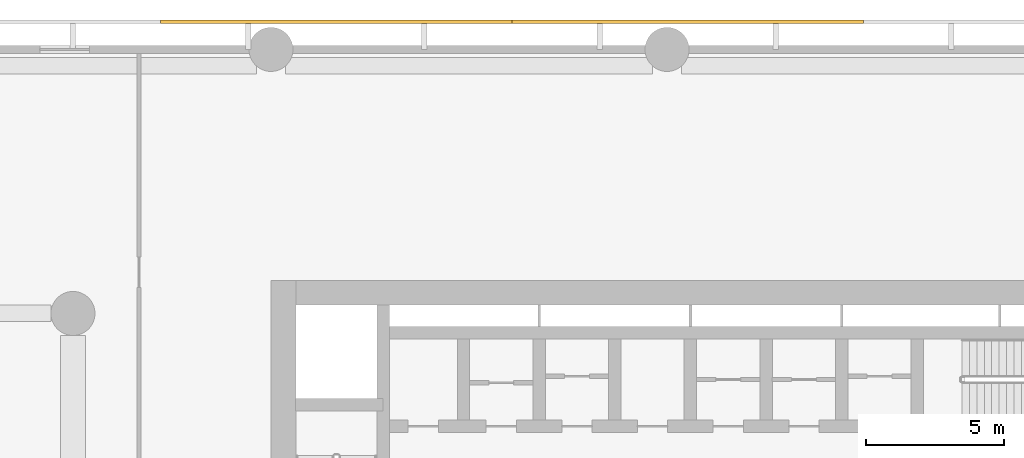
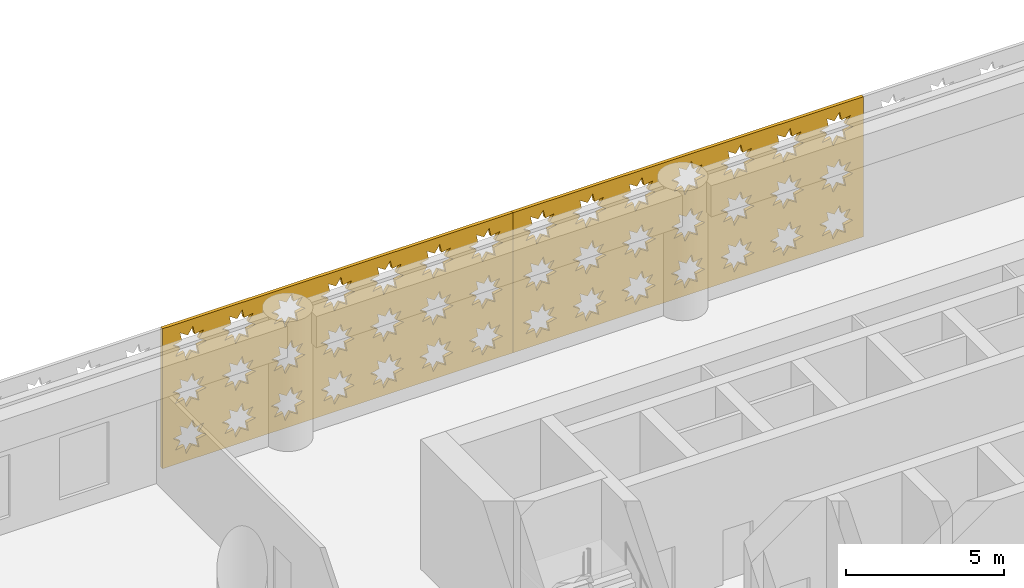
# One storey, part 27 of 30: 2 coverings.
"""IFC4 building model written with IfcOpenShell, lengths in metres."""

from ifc_helpers import new_model, si_unit, direction, frame, origin, place, context, subcontext, project, spatial, polyline, outline, extrude, material, layer, layer_set, type_object, element, save


model = new_model("IFC4")

# Units and contexts
model_context = context("Model", 3, precision=1e-05, world=origin(), true_north=direction((0.0, 1.0)))
body_context = subcontext(model_context, "Body", "Model", "MODEL_VIEW")
ifc_project = project(units=[si_unit("LENGTHUNIT", "METRE"), si_unit("AREAUNIT", "SQUARE_METRE"), si_unit("VOLUMEUNIT", "CUBIC_METRE"), si_unit("PLANEANGLEUNIT", "RADIAN"), si_unit("MASSUNIT", "GRAM", prefix="KILO")], contexts=[model_context])

# Site, building, storey
site_placement = place(None, origin())
site = spatial("IfcSite", under=ifc_project, at=site_placement, CompositionType="ELEMENT")
building_placement = place(site_placement, origin())
building = spatial("IfcBuilding", under=site, at=building_placement, Name="Saffron Iwan Residences", CompositionType="ELEMENT")
storey_placement = place(building_placement, frame((0.0, 0.0, 7.800048828125)))
storey = spatial("IfcBuildingStorey", under=building, at=storey_placement, Name="L01", CompositionType="ELEMENT", Elevation=7.800048828125)

# Coverings
ifc_material = material(Name="Terracotta screen, precast concrete C40/50", Category="masonry")
ifc_layer = layer(ifc_material, 0.1201171875)
ifc_layer_set = layer_set([ifc_layer], Name="Terracotta screen, precast concrete C40/50")
covering_type = type_object("IfcCoveringType", Name="PODIUM SCREEN GIRIH", PredefinedType="CLADDING", material=ifc_layer_set)
covering_1_placement = place(storey_placement, frame((50.340087890625, 87.35009765625, -0.400146484375), z_axis=(0.0, 1.0, 0.0), x_axis=(-1.0, 0.0, 0.0)))
element("IfcCovering", 1, at=covering_1_placement, inside=storey, type_object=covering_type, Name="SCREEN girih terracotta L01 F2.4", PredefinedType="CLADDING", context=body_context, shape_type="SweptSolid", body=[
    extrude(outline(polyline([(0.0, 0.0), (12.777587890625, 0.0), (12.777587890625, 5.39990234375), (0.0, 5.39990234375), (0.0, 0.0)]), holes=[polyline([(1.5966796875, 1.02099609375), (1.271484375, 1.0888671875), (1.333251953125, 1.41552734375), (1.05517578125, 1.2333984375), (0.867919921875, 1.508056640625), (0.7998046875, 1.1826171875), (0.47314453125, 1.244384765625), (0.6552734375, 0.96630859375), (0.380615234375, 0.779052734375), (0.7060546875, 0.711181640625), (0.644287109375, 0.384521484375), (0.92236328125, 0.56640625), (1.109619140625, 0.2919921875), (1.177490234375, 0.6171875), (1.50439453125, 0.555419921875), (1.322265625, 0.833740234375), (1.5966796875, 1.02099609375)]), polyline([(1.5966796875, 2.821044921875), (1.271484375, 2.888916015625), (1.333251953125, 3.215576171875), (1.05517578125, 3.033447265625), (0.867919921875, 3.30810546875), (0.7998046875, 2.982666015625), (0.47314453125, 3.04443359375), (0.6552734375, 2.766357421875), (0.380615234375, 2.5791015625), (0.7060546875, 2.510986328125), (0.644287109375, 2.1845703125), (0.92236328125, 2.366455078125), (1.109619140625, 2.091796875), (1.177490234375, 2.417236328125), (1.50439453125, 2.35546875), (1.322265625, 2.6337890625), (1.5966796875, 2.821044921875)]), polyline([(1.5966796875, 4.62109375), (1.271484375, 4.68896484375), (1.333251953125, 5.015380859375), (1.05517578125, 4.83349609375), (0.867919921875, 5.108154296875), (0.7998046875, 4.78271484375), (0.47314453125, 4.844482421875), (0.6552734375, 4.56640625), (0.380615234375, 4.37890625), (0.7060546875, 4.31103515625), (0.644287109375, 3.984619140625), (0.92236328125, 4.16650390625), (1.109619140625, 3.891845703125), (1.177490234375, 4.21728515625), (1.50439453125, 4.155517578125), (1.322265625, 4.43359375), (1.5966796875, 4.62109375)]), polyline([(3.396728515625, 1.02099609375), (3.0712890625, 1.0888671875), (3.13330078125, 1.41552734375), (2.85498046875, 1.2333984375), (2.667724609375, 1.508056640625), (2.599853515625, 1.1826171875), (2.273193359375, 1.244384765625), (2.455322265625, 0.96630859375), (2.1806640625, 0.779052734375), (2.506103515625, 0.711181640625), (2.4443359375, 0.384521484375), (2.722412109375, 0.56640625), (2.90966796875, 0.2919921875), (2.9775390625, 0.6171875), (3.30419921875, 0.555419921875), (3.122314453125, 0.833740234375), (3.396728515625, 1.02099609375)]), polyline([(3.396728515625, 2.821044921875), (3.0712890625, 2.888916015625), (3.13330078125, 3.215576171875), (2.85498046875, 3.033447265625), (2.667724609375, 3.30810546875), (2.599853515625, 2.982666015625), (2.273193359375, 3.04443359375), (2.455322265625, 2.766357421875), (2.1806640625, 2.5791015625), (2.506103515625, 2.510986328125), (2.4443359375, 2.1845703125), (2.722412109375, 2.366455078125), (2.90966796875, 2.091796875), (2.9775390625, 2.417236328125), (3.30419921875, 2.35546875), (3.122314453125, 2.6337890625), (3.396728515625, 2.821044921875)]), polyline([(3.396728515625, 4.62109375), (3.0712890625, 4.68896484375), (3.13330078125, 5.015380859375), (2.85498046875, 4.83349609375), (2.667724609375, 5.108154296875), (2.599853515625, 4.78271484375), (2.273193359375, 4.844482421875), (2.455322265625, 4.56640625), (2.1806640625, 4.37890625), (2.506103515625, 4.31103515625), (2.4443359375, 3.984619140625), (2.722412109375, 4.16650390625), (2.90966796875, 3.891845703125), (2.9775390625, 4.21728515625), (3.30419921875, 4.155517578125), (3.122314453125, 4.43359375), (3.396728515625, 4.62109375)]), polyline([(5.19677734375, 1.02099609375), (4.871337890625, 1.0888671875), (4.93310546875, 1.41552734375), (4.655029296875, 1.2333984375), (4.4677734375, 1.508056640625), (4.39990234375, 1.1826171875), (4.0732421875, 1.244384765625), (4.25537109375, 0.96630859375), (3.980712890625, 0.779052734375), (4.30615234375, 0.711181640625), (4.244384765625, 0.384521484375), (4.5224609375, 0.56640625), (4.709716796875, 0.2919921875), (4.777587890625, 0.6171875), (5.104248046875, 0.555419921875), (4.922119140625, 0.833740234375), (5.19677734375, 1.02099609375)]), polyline([(5.19677734375, 2.821044921875), (4.871337890625, 2.888916015625), (4.93310546875, 3.215576171875), (4.655029296875, 3.033447265625), (4.4677734375, 3.30810546875), (4.39990234375, 2.982666015625), (4.0732421875, 3.04443359375), (4.25537109375, 2.766357421875), (3.980712890625, 2.5791015625), (4.30615234375, 2.510986328125), (4.244384765625, 2.1845703125), (4.5224609375, 2.366455078125), (4.709716796875, 2.091796875), (4.777587890625, 2.417236328125), (5.104248046875, 2.35546875), (4.922119140625, 2.6337890625), (5.19677734375, 2.821044921875)]), polyline([(5.19677734375, 4.62109375), (4.871337890625, 4.68896484375), (4.93310546875, 5.015380859375), (4.655029296875, 4.83349609375), (4.4677734375, 5.108154296875), (4.39990234375, 4.78271484375), (4.0732421875, 4.844482421875), (4.25537109375, 4.56640625), (3.980712890625, 4.37890625), (4.30615234375, 4.31103515625), (4.244384765625, 3.984619140625), (4.5224609375, 4.16650390625), (4.709716796875, 3.891845703125), (4.777587890625, 4.21728515625), (5.104248046875, 4.155517578125), (4.922119140625, 4.43359375), (5.19677734375, 4.62109375)]), polyline([(6.996826171875, 1.02099609375), (6.67138671875, 1.0888671875), (6.733154296875, 1.41552734375), (6.455078125, 1.2333984375), (6.267822265625, 1.508056640625), (6.199951171875, 1.1826171875), (5.873291015625, 1.244384765625), (6.055419921875, 0.96630859375), (5.78076171875, 0.779052734375), (6.106201171875, 0.711181640625), (6.044189453125, 0.384521484375), (6.322509765625, 0.56640625), (6.509765625, 0.2919921875), (6.57763671875, 0.6171875), (6.904296875, 0.555419921875), (6.72216796875, 0.833740234375), (6.996826171875, 1.02099609375)]), polyline([(6.996826171875, 2.821044921875), (6.67138671875, 2.888916015625), (6.733154296875, 3.215576171875), (6.455078125, 3.033447265625), (6.267822265625, 3.30810546875), (6.199951171875, 2.982666015625), (5.873291015625, 3.04443359375), (6.055419921875, 2.766357421875), (5.78076171875, 2.5791015625), (6.106201171875, 2.510986328125), (6.044189453125, 2.1845703125), (6.322509765625, 2.366455078125), (6.509765625, 2.091796875), (6.57763671875, 2.417236328125), (6.904296875, 2.35546875), (6.72216796875, 2.6337890625), (6.996826171875, 2.821044921875)]), polyline([(6.996826171875, 4.62109375), (6.67138671875, 4.68896484375), (6.733154296875, 5.015380859375), (6.455078125, 4.83349609375), (6.267822265625, 5.108154296875), (6.199951171875, 4.78271484375), (5.873291015625, 4.844482421875), (6.055419921875, 4.56640625), (5.78076171875, 4.37890625), (6.106201171875, 4.31103515625), (6.044189453125, 3.984619140625), (6.322509765625, 4.16650390625), (6.509765625, 3.891845703125), (6.57763671875, 4.21728515625), (6.904296875, 4.155517578125), (6.72216796875, 4.43359375), (6.996826171875, 4.62109375)]), polyline([(8.796875, 1.02099609375), (8.471435546875, 1.0888671875), (8.533203125, 1.41552734375), (8.255126953125, 1.2333984375), (8.06787109375, 1.508056640625), (8.0, 1.1826171875), (7.673095703125, 1.244384765625), (7.855224609375, 0.96630859375), (7.580810546875, 0.779052734375), (7.906005859375, 0.711181640625), (7.84423828125, 0.384521484375), (8.122314453125, 0.56640625), (8.309814453125, 0.2919921875), (8.377685546875, 0.6171875), (8.704345703125, 0.555419921875), (8.522216796875, 0.833740234375), (8.796875, 1.02099609375)]), polyline([(8.796875, 2.821044921875), (8.471435546875, 2.888916015625), (8.533203125, 3.215576171875), (8.255126953125, 3.033447265625), (8.06787109375, 3.30810546875), (8.0, 2.982666015625), (7.673095703125, 3.04443359375), (7.855224609375, 2.766357421875), (7.580810546875, 2.5791015625), (7.906005859375, 2.510986328125), (7.84423828125, 2.1845703125), (8.122314453125, 2.366455078125), (8.309814453125, 2.091796875), (8.377685546875, 2.417236328125), (8.704345703125, 2.35546875), (8.522216796875, 2.6337890625), (8.796875, 2.821044921875)]), polyline([(8.796875, 4.62109375), (8.471435546875, 4.68896484375), (8.533203125, 5.015380859375), (8.255126953125, 4.83349609375), (8.06787109375, 5.108154296875), (8.0, 4.78271484375), (7.673095703125, 4.844482421875), (7.855224609375, 4.56640625), (7.580810546875, 4.37890625), (7.906005859375, 4.31103515625), (7.84423828125, 3.984619140625), (8.122314453125, 4.16650390625), (8.309814453125, 3.891845703125), (8.377685546875, 4.21728515625), (8.704345703125, 4.155517578125), (8.522216796875, 4.43359375), (8.796875, 4.62109375)]), polyline([(10.5966796875, 1.02099609375), (10.271484375, 1.0888671875), (10.333251953125, 1.41552734375), (10.05517578125, 1.2333984375), (9.867919921875, 1.508056640625), (9.7998046875, 1.1826171875), (9.47314453125, 1.244384765625), (9.6552734375, 0.96630859375), (9.380615234375, 0.779052734375), (9.7060546875, 0.711181640625), (9.644287109375, 0.384521484375), (9.92236328125, 0.56640625), (10.109619140625, 0.2919921875), (10.177490234375, 0.6171875), (10.50439453125, 0.555419921875), (10.322265625, 0.833740234375), (10.5966796875, 1.02099609375)]), polyline([(10.5966796875, 2.821044921875), (10.271484375, 2.888916015625), (10.333251953125, 3.215576171875), (10.05517578125, 3.033447265625), (9.867919921875, 3.30810546875), (9.7998046875, 2.982666015625), (9.47314453125, 3.04443359375), (9.6552734375, 2.766357421875), (9.380615234375, 2.5791015625), (9.7060546875, 2.510986328125), (9.644287109375, 2.1845703125), (9.92236328125, 2.366455078125), (10.109619140625, 2.091796875), (10.177490234375, 2.417236328125), (10.50439453125, 2.35546875), (10.322265625, 2.6337890625), (10.5966796875, 2.821044921875)]), polyline([(10.5966796875, 4.62109375), (10.271484375, 4.68896484375), (10.333251953125, 5.015380859375), (10.05517578125, 4.83349609375), (9.867919921875, 5.108154296875), (9.7998046875, 4.78271484375), (9.47314453125, 4.844482421875), (9.6552734375, 4.56640625), (9.380615234375, 4.37890625), (9.7060546875, 4.31103515625), (9.644287109375, 3.984619140625), (9.92236328125, 4.16650390625), (10.109619140625, 3.891845703125), (10.177490234375, 4.21728515625), (10.50439453125, 4.155517578125), (10.322265625, 4.43359375), (10.5966796875, 4.62109375)]), polyline([(12.396728515625, 1.02099609375), (12.0712890625, 1.0888671875), (12.13330078125, 1.41552734375), (11.85498046875, 1.2333984375), (11.667724609375, 1.508056640625), (11.599853515625, 1.1826171875), (11.273193359375, 1.244384765625), (11.455322265625, 0.96630859375), (11.1806640625, 0.779052734375), (11.506103515625, 0.711181640625), (11.4443359375, 0.384521484375), (11.722412109375, 0.56640625), (11.90966796875, 0.2919921875), (11.9775390625, 0.6171875), (12.30419921875, 0.555419921875), (12.122314453125, 0.833740234375), (12.396728515625, 1.02099609375)]), polyline([(12.396728515625, 2.821044921875), (12.0712890625, 2.888916015625), (12.13330078125, 3.215576171875), (11.85498046875, 3.033447265625), (11.667724609375, 3.30810546875), (11.599853515625, 2.982666015625), (11.273193359375, 3.04443359375), (11.455322265625, 2.766357421875), (11.1806640625, 2.5791015625), (11.506103515625, 2.510986328125), (11.4443359375, 2.1845703125), (11.722412109375, 2.366455078125), (11.90966796875, 2.091796875), (11.9775390625, 2.417236328125), (12.30419921875, 2.35546875), (12.122314453125, 2.6337890625), (12.396728515625, 2.821044921875)]), polyline([(12.396728515625, 4.62109375), (12.0712890625, 4.68896484375), (12.13330078125, 5.015380859375), (11.85498046875, 4.83349609375), (11.667724609375, 5.108154296875), (11.599853515625, 4.78271484375), (11.273193359375, 4.844482421875), (11.455322265625, 4.56640625), (11.1806640625, 4.37890625), (11.506103515625, 4.31103515625), (11.4443359375, 3.984619140625), (11.722412109375, 4.16650390625), (11.90966796875, 3.891845703125), (11.9775390625, 4.21728515625), (12.30419921875, 4.155517578125), (12.122314453125, 4.43359375), (12.396728515625, 4.62109375)])]), origin(), (0.0, 0.0, 1.0), 0.119873046875),
])
covering_2_placement = place(storey_placement, frame((37.5625, 87.35009765625, -0.400146484375), z_axis=(0.0, 1.0, 0.0), x_axis=(-1.0, 0.0, 0.0)))
element("IfcCovering", 2, at=covering_2_placement, inside=storey, type_object=covering_type, Name="SCREEN girih terracotta L01 F2.5", PredefinedType="CLADDING", context=body_context, shape_type="SweptSolid", body=[
    extrude(outline(polyline([(0.0, 0.0), (12.777587890625, 0.0), (12.777587890625, 5.39990234375), (0.0, 5.39990234375), (0.0, 0.0)]), holes=[polyline([(1.5966796875, 1.02099609375), (1.271484375, 1.0888671875), (1.333251953125, 1.41552734375), (1.05517578125, 1.2333984375), (0.867919921875, 1.508056640625), (0.7998046875, 1.1826171875), (0.47314453125, 1.244384765625), (0.6552734375, 0.96630859375), (0.380615234375, 0.779052734375), (0.7060546875, 0.711181640625), (0.644287109375, 0.384521484375), (0.92236328125, 0.56640625), (1.109619140625, 0.2919921875), (1.177490234375, 0.6171875), (1.50439453125, 0.555419921875), (1.322265625, 0.833740234375), (1.5966796875, 1.02099609375)]), polyline([(1.5966796875, 2.821044921875), (1.271484375, 2.888916015625), (1.333251953125, 3.215576171875), (1.05517578125, 3.033447265625), (0.867919921875, 3.30810546875), (0.7998046875, 2.982666015625), (0.47314453125, 3.04443359375), (0.6552734375, 2.766357421875), (0.380615234375, 2.5791015625), (0.7060546875, 2.510986328125), (0.644287109375, 2.1845703125), (0.92236328125, 2.366455078125), (1.109619140625, 2.091796875), (1.177490234375, 2.417236328125), (1.50439453125, 2.35546875), (1.322265625, 2.6337890625), (1.5966796875, 2.821044921875)]), polyline([(1.5966796875, 4.62109375), (1.271484375, 4.68896484375), (1.333251953125, 5.015380859375), (1.05517578125, 4.83349609375), (0.867919921875, 5.108154296875), (0.7998046875, 4.78271484375), (0.47314453125, 4.844482421875), (0.6552734375, 4.56640625), (0.380615234375, 4.37890625), (0.7060546875, 4.31103515625), (0.644287109375, 3.984619140625), (0.92236328125, 4.16650390625), (1.109619140625, 3.891845703125), (1.177490234375, 4.21728515625), (1.50439453125, 4.155517578125), (1.322265625, 4.43359375), (1.5966796875, 4.62109375)]), polyline([(3.396728515625, 1.02099609375), (3.0712890625, 1.0888671875), (3.13330078125, 1.41552734375), (2.85498046875, 1.2333984375), (2.667724609375, 1.508056640625), (2.599853515625, 1.1826171875), (2.273193359375, 1.244384765625), (2.455322265625, 0.96630859375), (2.1806640625, 0.779052734375), (2.506103515625, 0.711181640625), (2.4443359375, 0.384521484375), (2.722412109375, 0.56640625), (2.90966796875, 0.2919921875), (2.9775390625, 0.6171875), (3.30419921875, 0.555419921875), (3.122314453125, 0.833740234375), (3.396728515625, 1.02099609375)]), polyline([(3.396728515625, 2.821044921875), (3.0712890625, 2.888916015625), (3.13330078125, 3.215576171875), (2.85498046875, 3.033447265625), (2.667724609375, 3.30810546875), (2.599853515625, 2.982666015625), (2.273193359375, 3.04443359375), (2.455322265625, 2.766357421875), (2.1806640625, 2.5791015625), (2.506103515625, 2.510986328125), (2.4443359375, 2.1845703125), (2.722412109375, 2.366455078125), (2.90966796875, 2.091796875), (2.9775390625, 2.417236328125), (3.30419921875, 2.35546875), (3.122314453125, 2.6337890625), (3.396728515625, 2.821044921875)]), polyline([(3.396728515625, 4.62109375), (3.0712890625, 4.68896484375), (3.13330078125, 5.015380859375), (2.85498046875, 4.83349609375), (2.667724609375, 5.108154296875), (2.599853515625, 4.78271484375), (2.273193359375, 4.844482421875), (2.455322265625, 4.56640625), (2.1806640625, 4.37890625), (2.506103515625, 4.31103515625), (2.4443359375, 3.984619140625), (2.722412109375, 4.16650390625), (2.90966796875, 3.891845703125), (2.9775390625, 4.21728515625), (3.30419921875, 4.155517578125), (3.122314453125, 4.43359375), (3.396728515625, 4.62109375)]), polyline([(5.19677734375, 1.02099609375), (4.871337890625, 1.0888671875), (4.93310546875, 1.41552734375), (4.655029296875, 1.2333984375), (4.4677734375, 1.508056640625), (4.39990234375, 1.1826171875), (4.0732421875, 1.244384765625), (4.25537109375, 0.96630859375), (3.980712890625, 0.779052734375), (4.30615234375, 0.711181640625), (4.244384765625, 0.384521484375), (4.5224609375, 0.56640625), (4.709716796875, 0.2919921875), (4.777587890625, 0.6171875), (5.104248046875, 0.555419921875), (4.922119140625, 0.833740234375), (5.19677734375, 1.02099609375)]), polyline([(5.19677734375, 2.821044921875), (4.871337890625, 2.888916015625), (4.93310546875, 3.215576171875), (4.655029296875, 3.033447265625), (4.4677734375, 3.30810546875), (4.39990234375, 2.982666015625), (4.0732421875, 3.04443359375), (4.25537109375, 2.766357421875), (3.980712890625, 2.5791015625), (4.30615234375, 2.510986328125), (4.244384765625, 2.1845703125), (4.5224609375, 2.366455078125), (4.709716796875, 2.091796875), (4.777587890625, 2.417236328125), (5.104248046875, 2.35546875), (4.922119140625, 2.6337890625), (5.19677734375, 2.821044921875)]), polyline([(5.19677734375, 4.62109375), (4.871337890625, 4.68896484375), (4.93310546875, 5.015380859375), (4.655029296875, 4.83349609375), (4.4677734375, 5.108154296875), (4.39990234375, 4.78271484375), (4.0732421875, 4.844482421875), (4.25537109375, 4.56640625), (3.980712890625, 4.37890625), (4.30615234375, 4.31103515625), (4.244384765625, 3.984619140625), (4.5224609375, 4.16650390625), (4.709716796875, 3.891845703125), (4.777587890625, 4.21728515625), (5.104248046875, 4.155517578125), (4.922119140625, 4.43359375), (5.19677734375, 4.62109375)]), polyline([(6.996826171875, 1.02099609375), (6.67138671875, 1.0888671875), (6.733154296875, 1.41552734375), (6.455078125, 1.2333984375), (6.267822265625, 1.508056640625), (6.199951171875, 1.1826171875), (5.873291015625, 1.244384765625), (6.055419921875, 0.96630859375), (5.78076171875, 0.779052734375), (6.106201171875, 0.711181640625), (6.044189453125, 0.384521484375), (6.322509765625, 0.56640625), (6.509765625, 0.2919921875), (6.57763671875, 0.6171875), (6.904296875, 0.555419921875), (6.72216796875, 0.833740234375), (6.996826171875, 1.02099609375)]), polyline([(6.996826171875, 2.821044921875), (6.67138671875, 2.888916015625), (6.733154296875, 3.215576171875), (6.455078125, 3.033447265625), (6.267822265625, 3.30810546875), (6.199951171875, 2.982666015625), (5.873291015625, 3.04443359375), (6.055419921875, 2.766357421875), (5.78076171875, 2.5791015625), (6.106201171875, 2.510986328125), (6.044189453125, 2.1845703125), (6.322509765625, 2.366455078125), (6.509765625, 2.091796875), (6.57763671875, 2.417236328125), (6.904296875, 2.35546875), (6.72216796875, 2.6337890625), (6.996826171875, 2.821044921875)]), polyline([(6.996826171875, 4.62109375), (6.67138671875, 4.68896484375), (6.733154296875, 5.015380859375), (6.455078125, 4.83349609375), (6.267822265625, 5.108154296875), (6.199951171875, 4.78271484375), (5.873291015625, 4.844482421875), (6.055419921875, 4.56640625), (5.78076171875, 4.37890625), (6.106201171875, 4.31103515625), (6.044189453125, 3.984619140625), (6.322509765625, 4.16650390625), (6.509765625, 3.891845703125), (6.57763671875, 4.21728515625), (6.904296875, 4.155517578125), (6.72216796875, 4.43359375), (6.996826171875, 4.62109375)]), polyline([(8.796875, 1.02099609375), (8.471435546875, 1.0888671875), (8.533203125, 1.41552734375), (8.255126953125, 1.2333984375), (8.06787109375, 1.508056640625), (8.0, 1.1826171875), (7.673095703125, 1.244384765625), (7.855224609375, 0.96630859375), (7.580810546875, 0.779052734375), (7.906005859375, 0.711181640625), (7.84423828125, 0.384521484375), (8.122314453125, 0.56640625), (8.309814453125, 0.2919921875), (8.377685546875, 0.6171875), (8.704345703125, 0.555419921875), (8.522216796875, 0.833740234375), (8.796875, 1.02099609375)]), polyline([(8.796875, 2.821044921875), (8.471435546875, 2.888916015625), (8.533203125, 3.215576171875), (8.255126953125, 3.033447265625), (8.06787109375, 3.30810546875), (8.0, 2.982666015625), (7.673095703125, 3.04443359375), (7.855224609375, 2.766357421875), (7.580810546875, 2.5791015625), (7.906005859375, 2.510986328125), (7.84423828125, 2.1845703125), (8.122314453125, 2.366455078125), (8.309814453125, 2.091796875), (8.377685546875, 2.417236328125), (8.704345703125, 2.35546875), (8.522216796875, 2.6337890625), (8.796875, 2.821044921875)]), polyline([(8.796875, 4.62109375), (8.471435546875, 4.68896484375), (8.533203125, 5.015380859375), (8.255126953125, 4.83349609375), (8.06787109375, 5.108154296875), (8.0, 4.78271484375), (7.673095703125, 4.844482421875), (7.855224609375, 4.56640625), (7.580810546875, 4.37890625), (7.906005859375, 4.31103515625), (7.84423828125, 3.984619140625), (8.122314453125, 4.16650390625), (8.309814453125, 3.891845703125), (8.377685546875, 4.21728515625), (8.704345703125, 4.155517578125), (8.522216796875, 4.43359375), (8.796875, 4.62109375)]), polyline([(10.5966796875, 1.02099609375), (10.271484375, 1.0888671875), (10.333251953125, 1.41552734375), (10.05517578125, 1.2333984375), (9.867919921875, 1.508056640625), (9.7998046875, 1.1826171875), (9.47314453125, 1.244384765625), (9.6552734375, 0.96630859375), (9.380615234375, 0.779052734375), (9.7060546875, 0.711181640625), (9.644287109375, 0.384521484375), (9.92236328125, 0.56640625), (10.109619140625, 0.2919921875), (10.177490234375, 0.6171875), (10.50439453125, 0.555419921875), (10.322265625, 0.833740234375), (10.5966796875, 1.02099609375)]), polyline([(10.5966796875, 2.821044921875), (10.271484375, 2.888916015625), (10.333251953125, 3.215576171875), (10.05517578125, 3.033447265625), (9.867919921875, 3.30810546875), (9.7998046875, 2.982666015625), (9.47314453125, 3.04443359375), (9.6552734375, 2.766357421875), (9.380615234375, 2.5791015625), (9.7060546875, 2.510986328125), (9.644287109375, 2.1845703125), (9.92236328125, 2.366455078125), (10.109619140625, 2.091796875), (10.177490234375, 2.417236328125), (10.50439453125, 2.35546875), (10.322265625, 2.6337890625), (10.5966796875, 2.821044921875)]), polyline([(10.5966796875, 4.62109375), (10.271484375, 4.68896484375), (10.333251953125, 5.015380859375), (10.05517578125, 4.83349609375), (9.867919921875, 5.108154296875), (9.7998046875, 4.78271484375), (9.47314453125, 4.844482421875), (9.6552734375, 4.56640625), (9.380615234375, 4.37890625), (9.7060546875, 4.31103515625), (9.644287109375, 3.984619140625), (9.92236328125, 4.16650390625), (10.109619140625, 3.891845703125), (10.177490234375, 4.21728515625), (10.50439453125, 4.155517578125), (10.322265625, 4.43359375), (10.5966796875, 4.62109375)]), polyline([(12.396728515625, 1.02099609375), (12.0712890625, 1.0888671875), (12.13330078125, 1.41552734375), (11.85498046875, 1.2333984375), (11.667724609375, 1.508056640625), (11.599853515625, 1.1826171875), (11.273193359375, 1.244384765625), (11.455322265625, 0.96630859375), (11.1806640625, 0.779052734375), (11.506103515625, 0.711181640625), (11.4443359375, 0.384521484375), (11.722412109375, 0.56640625), (11.90966796875, 0.2919921875), (11.9775390625, 0.6171875), (12.30419921875, 0.555419921875), (12.122314453125, 0.833740234375), (12.396728515625, 1.02099609375)]), polyline([(12.396728515625, 2.821044921875), (12.0712890625, 2.888916015625), (12.13330078125, 3.215576171875), (11.85498046875, 3.033447265625), (11.667724609375, 3.30810546875), (11.599853515625, 2.982666015625), (11.273193359375, 3.04443359375), (11.455322265625, 2.766357421875), (11.1806640625, 2.5791015625), (11.506103515625, 2.510986328125), (11.4443359375, 2.1845703125), (11.722412109375, 2.366455078125), (11.90966796875, 2.091796875), (11.9775390625, 2.417236328125), (12.30419921875, 2.35546875), (12.122314453125, 2.6337890625), (12.396728515625, 2.821044921875)]), polyline([(12.396728515625, 4.62109375), (12.0712890625, 4.68896484375), (12.13330078125, 5.015380859375), (11.85498046875, 4.83349609375), (11.667724609375, 5.108154296875), (11.599853515625, 4.78271484375), (11.273193359375, 4.844482421875), (11.455322265625, 4.56640625), (11.1806640625, 4.37890625), (11.506103515625, 4.31103515625), (11.4443359375, 3.984619140625), (11.722412109375, 4.16650390625), (11.90966796875, 3.891845703125), (11.9775390625, 4.21728515625), (12.30419921875, 4.155517578125), (12.122314453125, 4.43359375), (12.396728515625, 4.62109375)])]), origin(), (0.0, 0.0, 1.0), 0.119873046875),
])

save(model, "model.ifc")
